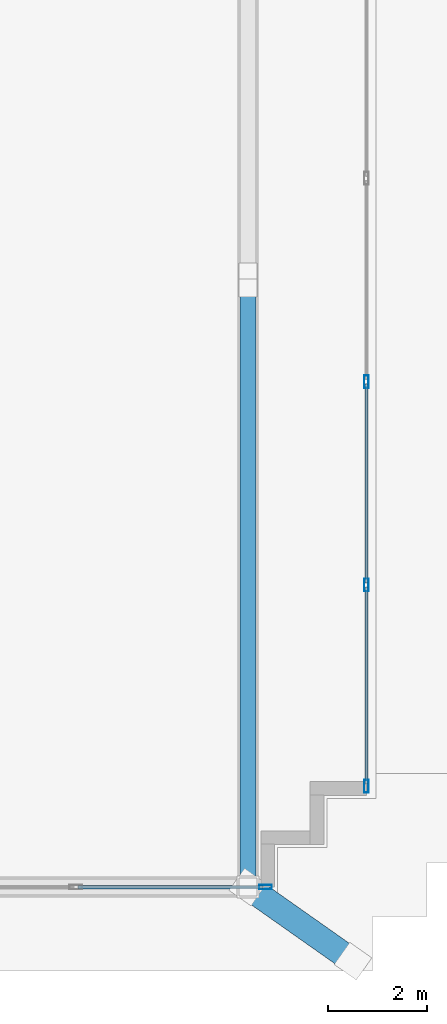
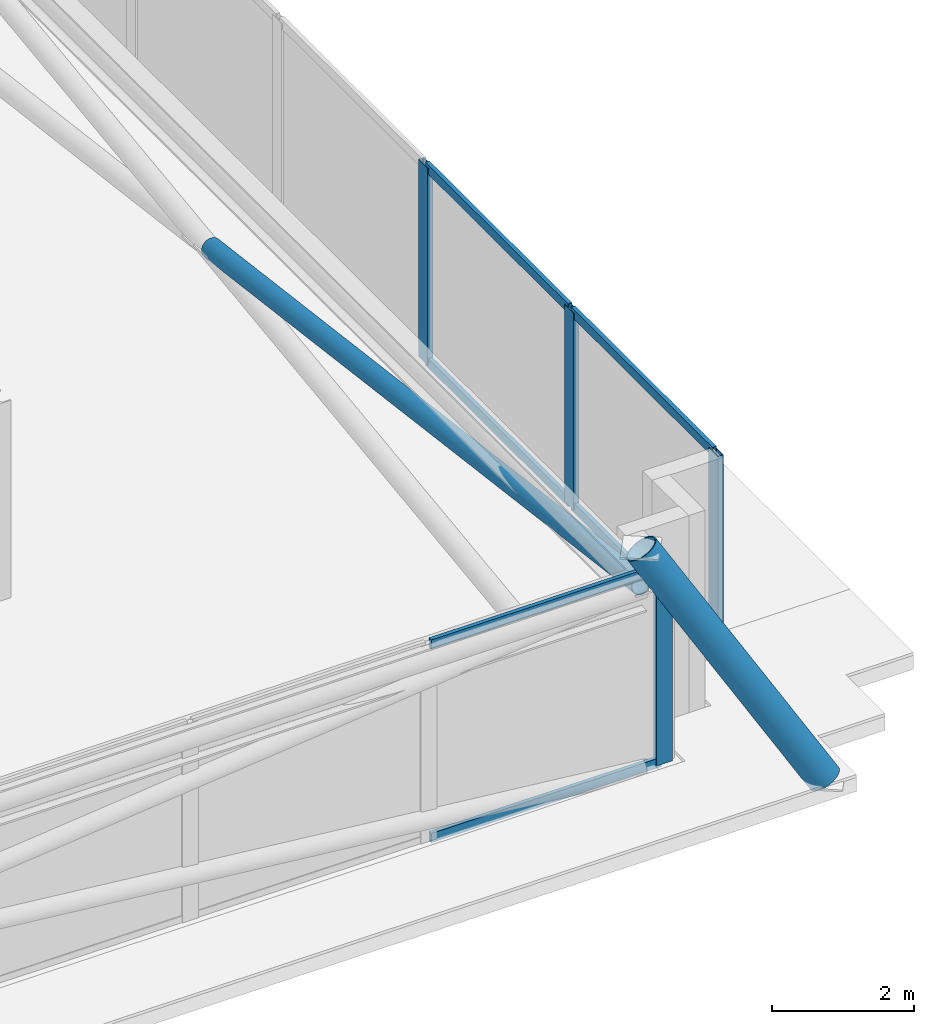
# One storey, part 11 of 18: 12 members, 2 elements without a shape of their own.
"""IFC4 building model written with IfcOpenShell, lengths in metres."""

from ifc_helpers import new_model, si_unit, direction, frame, origin, origin_2d, place, context, subcontext, project, spatial, hollow_rectangle, hollow_circle, extrude, material, layer, layer_set, material_profile, profile_set, type_object, element, aggregate, save


model = new_model("IFC4")

# Units and contexts
model_context = context("Model", 3, precision=1e-05, world=origin(), true_north=direction((0.0, 1.0)))
body_context = subcontext(model_context, "Body", "Model", "MODEL_VIEW")
ifc_project = project(units=[si_unit("LENGTHUNIT", "METRE"), si_unit("AREAUNIT", "SQUARE_METRE"), si_unit("VOLUMEUNIT", "CUBIC_METRE"), si_unit("PLANEANGLEUNIT", "RADIAN"), si_unit("MASSUNIT", "GRAM", prefix="KILO")], contexts=[model_context])

# Site, building, storey
site_placement = place(None, origin())
site = spatial("IfcSite", under=ifc_project, at=site_placement, CompositionType="ELEMENT")
building_placement = place(site_placement, origin())
building = spatial("IfcBuilding", under=site, at=building_placement, Name="Qobustan Lattice House", CompositionType="ELEMENT")
storey_placement = place(building_placement, frame((0.0, 0.0, 277.800048828125)))
storey = spatial("IfcBuildingStorey", under=building, at=storey_placement, Name="L78", CompositionType="ELEMENT", Elevation=277.800048828125)

# Curtain wall, members
ifc_material_1 = material(Name="Anodised aluminium and low-E glazing", Category="aluminium")
ifc_layer = layer(ifc_material_1, 0.219970703125)
ifc_layer_set = layer_set([ifc_layer], Name="Anodised aluminium and low-E glazing")
curtain_wall_type = type_object("IfcCurtainWallType", Name="CW-CRN-01", PredefinedType="USERDEFINED", material=ifc_layer_set)
curtain_wall_1_placement = place(storey_placement, origin())
curtain_wall_1 = element("IfcCurtainWall", 1, at=curtain_wall_1_placement, inside=storey, type_object=curtain_wall_type, Name="L78 glass-point crown faceted curtain wall 15", ObjectType="CURTAIN WALL", PredefinedType="USERDEFINED")
ifc_material_2 = material(Name="Anodised aluminium EN AW-6063 T6", Category="aluminium")
ifc_material_profile_1 = material_profile(ifc_material_2, hollow_rectangle(XDim=0.090087890625, YDim=0.260009765625, WallThickness=0.006103515625, at=origin_2d()), Name="CWM-CROWN-260x90")
ifc_profile_set_1 = profile_set([ifc_material_profile_1], Name="Anodised aluminium EN AW-6063 T6")
member_type_1 = type_object("IfcMemberType", Name="CWM-CRN-260", PredefinedType="MULLION", material=ifc_profile_set_1)
member_1_placement = place(storey_placement, frame((17.346435546875, -3.66064453125, 0.0), z_axis=(0.0, 0.0, 1.0), x_axis=(1.0, 0.0, 0.0)))
member_1 = element("IfcMember", 2, at=member_1_placement, type_object=member_type_1, Name="CW-CR mullion 4", PredefinedType="MULLION", context=body_context, shape_type="SweptSolid", body=[
    extrude(hollow_rectangle(XDim=0.090087890625, YDim=0.260009765625, WallThickness=0.006103515625, at=origin_2d()), origin(), (0.0, 0.0, 1.0), 3.39990234375),
])
member_2_placement = place(storey_placement, frame((17.346435546875, -7.781982421875, 0.0), z_axis=(0.0, 0.0, 1.0), x_axis=(1.0, 0.0, 0.0)))
member_2 = element("IfcMember", 3, at=member_2_placement, type_object=member_type_1, Name="CW-CR mullion 5", PredefinedType="MULLION", context=body_context, shape_type="SweptSolid", body=[
    extrude(hollow_rectangle(XDim=0.090087890625, YDim=0.260009765625, WallThickness=0.006103515625, at=origin_2d()), origin(), (0.0, 0.0, 1.0), 3.39990234375),
])
member_3_placement = place(storey_placement, frame((17.346435546875, -11.8583984375, 0.0), z_axis=(0.0, 0.0, 1.0), x_axis=(1.0, 0.0, 0.0)))
member_3 = element("IfcMember", 4, at=member_3_placement, type_object=member_type_1, Name="CW-CR mullion 6", PredefinedType="MULLION", context=body_context, shape_type="SweptSolid", body=[
    extrude(hollow_rectangle(XDim=0.090087890625, YDim=0.260009765625, WallThickness=0.006103515625, at=origin_2d()), origin(), (0.0, 0.0, 1.0), 3.39990234375),
])

# Curtain wall, member
curtain_wall_2_placement = place(storey_placement, origin())
curtain_wall_2 = element("IfcCurtainWall", 5, at=curtain_wall_2_placement, inside=storey, type_object=curtain_wall_type, Name="L78 glass-point crown faceted curtain wall 20", ObjectType="CURTAIN WALL", PredefinedType="USERDEFINED")
member_4_placement = place(storey_placement, frame((15.301513671875, -13.903564453125, 0.0), z_axis=(0.0, 0.0, 1.0), x_axis=(0.0, -1.0, 0.0)))
member_4 = element("IfcMember", 6, at=member_4_placement, type_object=member_type_1, Name="CW-CR mullion 1", PredefinedType="MULLION", context=body_context, shape_type="SweptSolid", body=[
    extrude(hollow_rectangle(XDim=0.090087890625, YDim=0.260009765625, WallThickness=0.006103515625, at=origin_2d()), origin(), (0.0, 0.0, 1.0), 3.39990234375),
])

# Member
ifc_material_3 = material(Name="Anodised aluminium EN AW-6063 T6", Category="aluminium")
ifc_material_profile_2 = material_profile(ifc_material_3, hollow_rectangle(XDim=0.06494140625, YDim=0.159912109375, WallThickness=0.00390625, at=origin_2d()), Name="CWT-160x65")
ifc_profile_set_2 = profile_set([ifc_material_profile_2], Name="Anodised aluminium EN AW-6063 T6")
member_type_2 = type_object("IfcMemberType", Name="CWT-HOR-160", PredefinedType="USERDEFINED", material=ifc_profile_set_2)
member_5_placement = place(storey_placement, frame((17.346435546875, -3.705810546875, 0.032470703125), z_axis=(0.0, -1.0, 0.0), x_axis=(1.0, 0.0, 0.0)))
member_5 = element("IfcMember", 7, at=member_5_placement, type_object=member_type_2, Name="CW-CR transom 4.1", ObjectType="TRANSOM", PredefinedType="USERDEFINED", context=body_context, shape_type="SweptSolid", body=[
    extrude(hollow_rectangle(XDim=0.06494140625, YDim=0.159912109375, WallThickness=0.00390625, at=origin_2d()), origin(), (0.0, 0.0, 1.0), 4.03125),
])

member_6_placement = place(storey_placement, frame((17.346435546875, -3.705810546875, 3.367431640625), z_axis=(0.0, -1.0, 0.0), x_axis=(1.0, 0.0, 0.0)))
member_6 = element("IfcMember", 8, at=member_6_placement, type_object=member_type_2, Name="CW-CR transom 4.2", ObjectType="TRANSOM", PredefinedType="USERDEFINED", context=body_context, shape_type="SweptSolid", body=[
    extrude(hollow_rectangle(XDim=0.06494140625, YDim=0.159912109375, WallThickness=0.00390625, at=origin_2d()), origin(), (0.0, 0.0, 1.0), 4.03125),
])

member_7_placement = place(storey_placement, frame((17.346435546875, -7.8271484375, 0.032470703125), z_axis=(0.0, -1.0, 0.0), x_axis=(1.0, 0.0, 0.0)))
member_7 = element("IfcMember", 9, at=member_7_placement, type_object=member_type_2, Name="CW-CR transom 5.1", ObjectType="TRANSOM", PredefinedType="USERDEFINED", context=body_context, shape_type="SweptSolid", body=[
    extrude(hollow_rectangle(XDim=0.06494140625, YDim=0.159912109375, WallThickness=0.00390625, at=origin_2d()), origin(), (0.0, 0.0, 1.0), 3.986328125),
])

member_8_placement = place(storey_placement, frame((17.346435546875, -7.8271484375, 3.367431640625), z_axis=(0.0, -1.0, 0.0), x_axis=(1.0, 0.0, 0.0)))
member_8 = element("IfcMember", 10, at=member_8_placement, type_object=member_type_2, Name="CW-CR transom 5.2", ObjectType="TRANSOM", PredefinedType="USERDEFINED", context=body_context, shape_type="SweptSolid", body=[
    extrude(hollow_rectangle(XDim=0.06494140625, YDim=0.159912109375, WallThickness=0.00390625, at=origin_2d()), origin(), (0.0, 0.0, 1.0), 3.986328125),
])

aggregate(curtain_wall_1, [member_1, member_2, member_3, member_5, member_6, member_7, member_8])

member_9_placement = place(storey_placement, frame((15.256591796875, -13.903564453125, 0.032470703125), z_axis=(-1.0, 0.0, 0.0), x_axis=(0.0, -1.0, 0.0)))
member_9 = element("IfcMember", 11, at=member_9_placement, type_object=member_type_2, Name="CW-CR transom 1.1", ObjectType="TRANSOM", PredefinedType="USERDEFINED", context=body_context, shape_type="SweptSolid", body=[
    extrude(hollow_rectangle(XDim=0.06494140625, YDim=0.159912109375, WallThickness=0.00390625, at=origin_2d()), origin(), (0.0, 0.0, 1.0), 3.751708984375),
])

member_10_placement = place(storey_placement, frame((15.256591796875, -13.903564453125, 3.367431640625), z_axis=(-1.0, 0.0, 0.0), x_axis=(0.0, -1.0, 0.0)))
member_10 = element("IfcMember", 12, at=member_10_placement, type_object=member_type_2, Name="CW-CR transom 1.2", ObjectType="TRANSOM", PredefinedType="USERDEFINED", context=body_context, shape_type="SweptSolid", body=[
    extrude(hollow_rectangle(XDim=0.06494140625, YDim=0.159912109375, WallThickness=0.00390625, at=origin_2d()), origin(), (0.0, 0.0, 1.0), 3.751708984375),
])

aggregate(curtain_wall_2, [member_4, member_9, member_10])

# Members
ifc_material_4 = material(Name="Steel S355", Category="steel")
ifc_material_profile_3 = material_profile(ifc_material_4, hollow_circle(Radius=0.161865234375, WallThickness=0.012451171875, at=origin_2d()), Name="CHS323.9x12.5")
ifc_profile_set_3 = profile_set([ifc_material_profile_3], Name="Steel S355")
member_type_3 = type_object("IfcMemberType", Name="MEM-CBR-CHS324", PredefinedType="BRACE", material=ifc_profile_set_3)
member_11_placement = place(storey_placement, frame((14.946533203125, -1.7666015625, 1.618896484375), z_axis=(0.0, -0.991829898268, 0.127567444522), x_axis=(1.0, 0.0, 0.0)))
element("IfcMember", 13, at=member_11_placement, inside=storey, type_object=member_type_3, Name="L78 crown diagrid split brace 2B upper", PredefinedType="BRACE", context=body_context, shape_type="SweptSolid", body=[
    extrude(hollow_circle(Radius=0.161865234375, WallThickness=0.012451171875, at=origin_2d()), origin(), (0.0, 0.0, 1.0), 12.237060546875),
])
ifc_material_5 = material(Name="Steel S355", Category="steel")
ifc_material_profile_4 = material_profile(ifc_material_5, hollow_circle(Radius=0.25390625, WallThickness=0.02001953125, at=origin_2d()), Name="CHS508x20")
ifc_profile_set_4 = profile_set([ifc_material_profile_4], Name="Steel S355")
member_type_4 = type_object("IfcMemberType", Name="MEM-STR-CHS508", PredefinedType="STRUT", material=ifc_profile_set_4)
member_12_placement = place(storey_placement, frame((17.073486328125, -15.401611328125, 0.0), z_axis=(-0.461852718006, 0.325290206346, 0.825153530276), x_axis=(-0.575828097695, -0.817570793207, 0.0)))
element("IfcMember", 14, at=member_12_placement, inside=storey, type_object=member_type_4, Name="L78 crown corner raking strut 2", PredefinedType="STRUT", context=body_context, shape_type="SweptSolid", body=[
    extrude(hollow_circle(Radius=0.25390625, WallThickness=0.02001953125, at=origin_2d()), origin(), (0.0, 0.0, 1.0), 4.605224609375),
])

save(model, "model.ifc")
